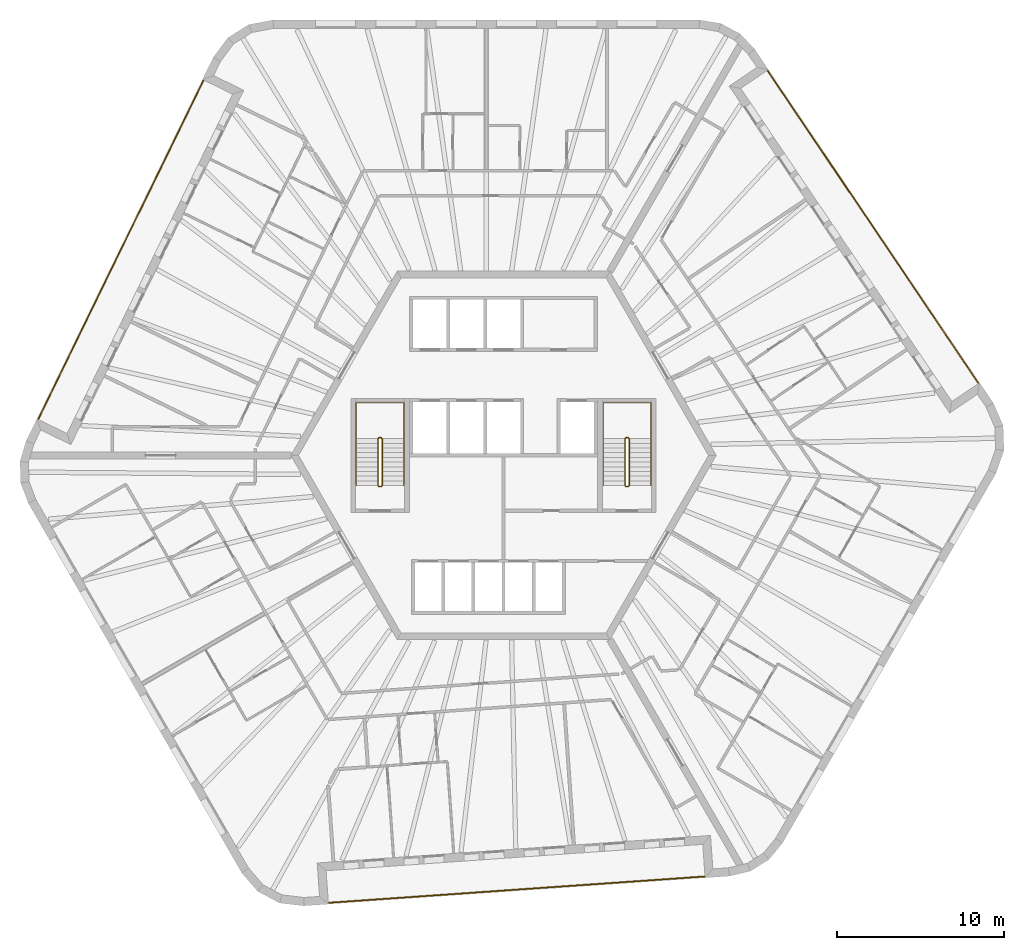
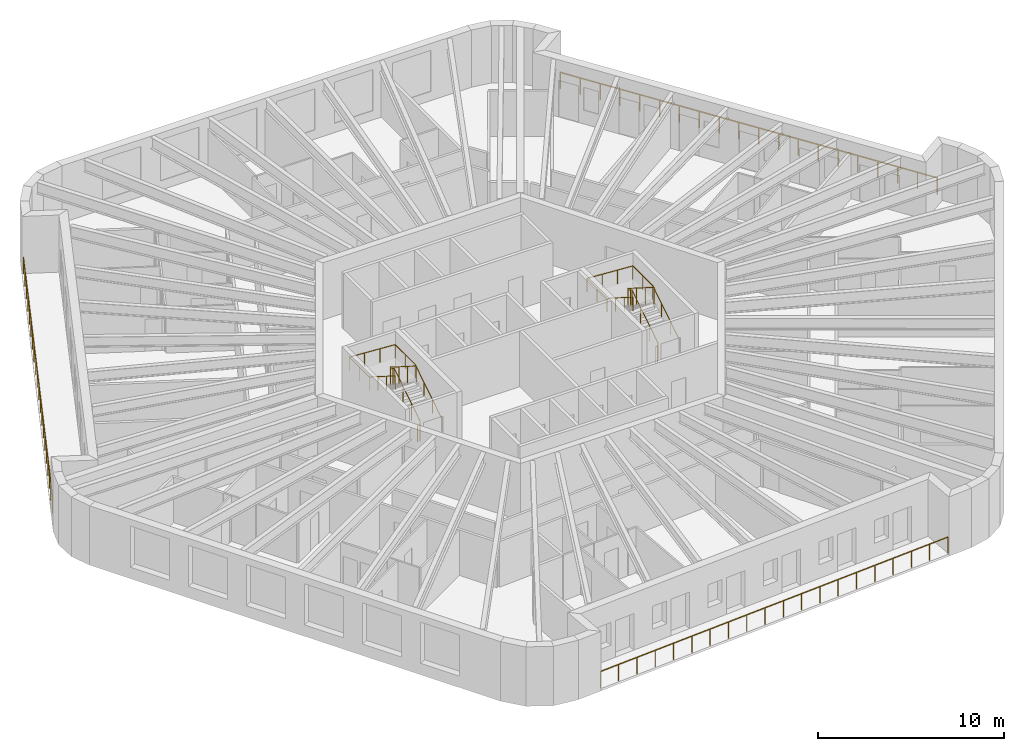
# One storey, part 12 of 12: 7 railings.
"""IFC4 building model written with IfcOpenShell, lengths in metres."""

from ifc_helpers import new_model, si_unit, direction, frame, origin, origin_2d, place, context, subcontext, project, spatial, circle, extrude, material, type_object, element, save


model = new_model("IFC4")

# Units and contexts
model_context = context("Model", 3, precision=1e-05, world=origin(), true_north=direction((0.0, 1.0)))
body_context = subcontext(model_context, "Body", "Model", "MODEL_VIEW")
ifc_project = project(units=[si_unit("LENGTHUNIT", "METRE"), si_unit("AREAUNIT", "SQUARE_METRE"), si_unit("VOLUMEUNIT", "CUBIC_METRE"), si_unit("PLANEANGLEUNIT", "RADIAN"), si_unit("MASSUNIT", "GRAM", prefix="KILO")], contexts=[model_context])

# Site, building, storey
site_placement = place(None, origin())
site = spatial("IfcSite", under=ifc_project, at=site_placement, CompositionType="ELEMENT")
building_placement = place(site_placement, origin())
building = spatial("IfcBuilding", under=site, at=building_placement, Name="Tarnside Tower", CompositionType="ELEMENT")
storey_placement = place(building_placement, frame((0.0, 0.0, 299.10009765625)))
storey = spatial("IfcBuildingStorey", under=building, at=storey_placement, Name="L72", CompositionType="ELEMENT", Elevation=299.10009765625)

# Railings
ifc_material_1 = material(Name="Toughened glass", Category="glass")
railing_type_1 = type_object("IfcRailingType", Name="Glass guard 1100", PredefinedType="GUARDRAIL", material=ifc_material_1)
railing_1_placement = place(storey_placement, frame((-17.906005859375, 22.415283203125, 0.0)))
element("IfcRailing", 1, at=railing_1_placement, inside=storey, type_object=railing_type_1, Name="Loggia guard L72 F2", PredefinedType="GUARDRAIL", context=body_context, shape_type="SweptSolid", body=[
    extrude(circle(Radius=0.030029296875, at=origin_2d()), frame((0.0, 0.0, 1.070068359375), z_axis=(-0.438372639335, -0.898793318335, 0.0), x_axis=(0.898793318335, -0.438372639335, 0.0)), (0.0, 0.0, 1.0), 22.544921875),
    extrude(circle(Radius=0.02490234375, at=origin_2d()), origin(), (0.0, 0.0, 1.0), 1.0400390625),
    extrude(circle(Radius=0.02490234375, at=origin_2d()), frame((-0.520263671875, -1.06640625, 0.0)), (0.0, 0.0, 1.0), 1.0400390625),
    extrude(circle(Radius=0.02490234375, at=origin_2d()), frame((-1.040283203125, -2.133056640625, 0.0)), (0.0, 0.0, 1.0), 1.0400390625),
    extrude(circle(Radius=0.02490234375, at=origin_2d()), frame((-1.560546875, -3.199462890625, 0.0)), (0.0, 0.0, 1.0), 1.0400390625),
    extrude(circle(Radius=0.02490234375, at=origin_2d()), frame((-2.08056640625, -4.265869140625, 0.0)), (0.0, 0.0, 1.0), 1.0400390625),
    extrude(circle(Radius=0.02490234375, at=origin_2d()), frame((-2.600830078125, -5.33251953125, 0.0)), (0.0, 0.0, 1.0), 1.0400390625),
    extrude(circle(Radius=0.02490234375, at=origin_2d()), frame((-3.120849609375, -6.39892578125, 0.0)), (0.0, 0.0, 1.0), 1.0400390625),
    extrude(circle(Radius=0.02490234375, at=origin_2d()), frame((-3.64111328125, -7.46533203125, 0.0)), (0.0, 0.0, 1.0), 1.0400390625),
    extrude(circle(Radius=0.02490234375, at=origin_2d()), frame((-4.161376953125, -8.531982421875, 0.0)), (0.0, 0.0, 1.0), 1.0400390625),
    extrude(circle(Radius=0.02490234375, at=origin_2d()), frame((-4.681396484375, -9.598388671875, 0.0)), (0.0, 0.0, 1.0), 1.0400390625),
    extrude(circle(Radius=0.02490234375, at=origin_2d()), frame((-5.20166015625, -10.664794921875, 0.0)), (0.0, 0.0, 1.0), 1.0400390625),
    extrude(circle(Radius=0.02490234375, at=origin_2d()), frame((-5.7216796875, -11.731201171875, 0.0)), (0.0, 0.0, 1.0), 1.0400390625),
    extrude(circle(Radius=0.02490234375, at=origin_2d()), frame((-6.241943359375, -12.7978515625, 0.0)), (0.0, 0.0, 1.0), 1.0400390625),
    extrude(circle(Radius=0.02490234375, at=origin_2d()), frame((-6.76220703125, -13.8642578125, 0.0)), (0.0, 0.0, 1.0), 1.0400390625),
    extrude(circle(Radius=0.02490234375, at=origin_2d()), frame((-7.2822265625, -14.9306640625, 0.0)), (0.0, 0.0, 1.0), 1.0400390625),
    extrude(circle(Radius=0.02490234375, at=origin_2d()), frame((-7.802490234375, -15.997314453125, 0.0)), (0.0, 0.0, 1.0), 1.0400390625),
    extrude(circle(Radius=0.02490234375, at=origin_2d()), frame((-8.322509765625, -17.063720703125, 0.0)), (0.0, 0.0, 1.0), 1.0400390625),
    extrude(circle(Radius=0.02490234375, at=origin_2d()), frame((-8.8427734375, -18.130126953125, 0.0)), (0.0, 0.0, 1.0), 1.0400390625),
    extrude(circle(Radius=0.02490234375, at=origin_2d()), frame((-9.36279296875, -19.19677734375, 0.0)), (0.0, 0.0, 1.0), 1.0400390625),
    extrude(circle(Radius=0.02490234375, at=origin_2d()), frame((-9.883056640625, -20.26318359375, 0.0)), (0.0, 0.0, 1.0), 1.0400390625),
])
railing_2_placement = place(storey_placement, frame((-10.458984375, -26.714599609375, 0.0)))
element("IfcRailing", 2, at=railing_2_placement, inside=storey, type_object=railing_type_1, Name="Loggia guard L72 F4", PredefinedType="GUARDRAIL", context=body_context, shape_type="SweptSolid", body=[
    extrude(circle(Radius=0.030029296875, at=origin_2d()), frame((0.0, 0.0, 1.070068359375), z_axis=(0.997564440639, 0.069750890837, 0.0), x_axis=(-0.069750890837, 0.997564440639, 0.0)), (0.0, 0.0, 1.0), 22.544677734375),
    extrude(circle(Radius=0.02490234375, at=origin_2d()), origin(), (0.0, 0.0, 1.0), 1.0400390625),
    extrude(circle(Radius=0.02490234375, at=origin_2d()), frame((1.18359375, 0.082763671875, 0.0)), (0.0, 0.0, 1.0), 1.0400390625),
    extrude(circle(Radius=0.02490234375, at=origin_2d()), frame((2.367431640625, 0.16552734375, 0.0)), (0.0, 0.0, 1.0), 1.0400390625),
    extrude(circle(Radius=0.02490234375, at=origin_2d()), frame((3.551025390625, 0.248291015625, 0.0)), (0.0, 0.0, 1.0), 1.0400390625),
    extrude(circle(Radius=0.02490234375, at=origin_2d()), frame((4.734619140625, 0.3310546875, 0.0)), (0.0, 0.0, 1.0), 1.0400390625),
    extrude(circle(Radius=0.02490234375, at=origin_2d()), frame((5.91845703125, 0.413818359375, 0.0)), (0.0, 0.0, 1.0), 1.0400390625),
    extrude(circle(Radius=0.02490234375, at=origin_2d()), frame((7.10205078125, 0.49658203125, 0.0)), (0.0, 0.0, 1.0), 1.0400390625),
    extrude(circle(Radius=0.02490234375, at=origin_2d()), frame((8.28564453125, 0.579345703125, 0.0)), (0.0, 0.0, 1.0), 1.0400390625),
    extrude(circle(Radius=0.02490234375, at=origin_2d()), frame((9.469482421875, 0.662109375, 0.0)), (0.0, 0.0, 1.0), 1.0400390625),
    extrude(circle(Radius=0.02490234375, at=origin_2d()), frame((10.653076171875, 0.744873046875, 0.0)), (0.0, 0.0, 1.0), 1.0400390625),
    extrude(circle(Radius=0.02490234375, at=origin_2d()), frame((11.836669921875, 0.82763671875, 0.0)), (0.0, 0.0, 1.0), 1.0400390625),
    extrude(circle(Radius=0.02490234375, at=origin_2d()), frame((13.020263671875, 0.910400390625, 0.0)), (0.0, 0.0, 1.0), 1.0400390625),
    extrude(circle(Radius=0.02490234375, at=origin_2d()), frame((14.2041015625, 0.9931640625, 0.0)), (0.0, 0.0, 1.0), 1.0400390625),
    extrude(circle(Radius=0.02490234375, at=origin_2d()), frame((15.3876953125, 1.075927734375, 0.0)), (0.0, 0.0, 1.0), 1.0400390625),
    extrude(circle(Radius=0.02490234375, at=origin_2d()), frame((16.5712890625, 1.15869140625, 0.0)), (0.0, 0.0, 1.0), 1.0400390625),
    extrude(circle(Radius=0.02490234375, at=origin_2d()), frame((17.755126953125, 1.241455078125, 0.0)), (0.0, 0.0, 1.0), 1.0400390625),
    extrude(circle(Radius=0.02490234375, at=origin_2d()), frame((18.938720703125, 1.32421875, 0.0)), (0.0, 0.0, 1.0), 1.0400390625),
    extrude(circle(Radius=0.02490234375, at=origin_2d()), frame((20.122314453125, 1.406982421875, 0.0)), (0.0, 0.0, 1.0), 1.0400390625),
    extrude(circle(Radius=0.02490234375, at=origin_2d()), frame((21.30615234375, 1.48974609375, 0.0)), (0.0, 0.0, 1.0), 1.0400390625),
    extrude(circle(Radius=0.02490234375, at=origin_2d()), frame((22.48974609375, 1.572509765625, 0.0)), (0.0, 0.0, 1.0), 1.0400390625),
])
railing_3_placement = place(storey_placement, frame((28.365234375, 4.299560546875, 0.0)))
element("IfcRailing", 3, at=railing_3_placement, inside=storey, type_object=railing_type_1, Name="Loggia guard L72 F6", PredefinedType="GUARDRAIL", context=body_context, shape_type="SweptSolid", body=[
    extrude(circle(Radius=0.030029296875, at=origin_2d()), frame((0.0, 0.0, 1.070068359375), z_axis=(-0.559195329741, 0.82903593601, 0.0), x_axis=(-0.82903593601, -0.559195329741, 0.0)), (0.0, 0.0, 1.0), 22.544677734375),
    extrude(circle(Radius=0.02490234375, at=origin_2d()), origin(), (0.0, 0.0, 1.0), 1.0400390625),
    extrude(circle(Radius=0.02490234375, at=origin_2d()), frame((-0.66357421875, 0.983642578125, 0.0)), (0.0, 0.0, 1.0), 1.0400390625),
    extrude(circle(Radius=0.02490234375, at=origin_2d()), frame((-1.3271484375, 1.967529296875, 0.0)), (0.0, 0.0, 1.0), 1.0400390625),
    extrude(circle(Radius=0.02490234375, at=origin_2d()), frame((-1.990478515625, 2.951171875, 0.0)), (0.0, 0.0, 1.0), 1.0400390625),
    extrude(circle(Radius=0.02490234375, at=origin_2d()), frame((-2.654052734375, 3.934814453125, 0.0)), (0.0, 0.0, 1.0), 1.0400390625),
    extrude(circle(Radius=0.02490234375, at=origin_2d()), frame((-3.317626953125, 4.91845703125, 0.0)), (0.0, 0.0, 1.0), 1.0400390625),
    extrude(circle(Radius=0.02490234375, at=origin_2d()), frame((-3.981201171875, 5.90234375, 0.0)), (0.0, 0.0, 1.0), 1.0400390625),
    extrude(circle(Radius=0.02490234375, at=origin_2d()), frame((-4.644775390625, 6.885986328125, 0.0)), (0.0, 0.0, 1.0), 1.0400390625),
    extrude(circle(Radius=0.02490234375, at=origin_2d()), frame((-5.30810546875, 7.86962890625, 0.0)), (0.0, 0.0, 1.0), 1.0400390625),
    extrude(circle(Radius=0.02490234375, at=origin_2d()), frame((-5.9716796875, 8.853271484375, 0.0)), (0.0, 0.0, 1.0), 1.0400390625),
    extrude(circle(Radius=0.02490234375, at=origin_2d()), frame((-6.63525390625, 9.837158203125, 0.0)), (0.0, 0.0, 1.0), 1.0400390625),
    extrude(circle(Radius=0.02490234375, at=origin_2d()), frame((-7.298828125, 10.82080078125, 0.0)), (0.0, 0.0, 1.0), 1.0400390625),
    extrude(circle(Radius=0.02490234375, at=origin_2d()), frame((-7.962158203125, 11.804443359375, 0.0)), (0.0, 0.0, 1.0), 1.0400390625),
    extrude(circle(Radius=0.02490234375, at=origin_2d()), frame((-8.625732421875, 12.7880859375, 0.0)), (0.0, 0.0, 1.0), 1.0400390625),
    extrude(circle(Radius=0.02490234375, at=origin_2d()), frame((-9.289306640625, 13.77197265625, 0.0)), (0.0, 0.0, 1.0), 1.0400390625),
    extrude(circle(Radius=0.02490234375, at=origin_2d()), frame((-9.952880859375, 14.755615234375, 0.0)), (0.0, 0.0, 1.0), 1.0400390625),
    extrude(circle(Radius=0.02490234375, at=origin_2d()), frame((-10.616455078125, 15.7392578125, 0.0)), (0.0, 0.0, 1.0), 1.0400390625),
    extrude(circle(Radius=0.02490234375, at=origin_2d()), frame((-11.27978515625, 16.722900390625, 0.0)), (0.0, 0.0, 1.0), 1.0400390625),
    extrude(circle(Radius=0.02490234375, at=origin_2d()), frame((-11.943359375, 17.706787109375, 0.0)), (0.0, 0.0, 1.0), 1.0400390625),
    extrude(circle(Radius=0.02490234375, at=origin_2d()), frame((-12.60693359375, 18.6904296875, 0.0)), (0.0, 0.0, 1.0), 1.0400390625),
])
ifc_material_2 = material(Name="Stainless steel", Category="steel")
railing_type_2 = type_object("IfcRailingType", Name="Stair guard 1100", PredefinedType="GUARDRAIL", material=ifc_material_2)
railing_4_placement = place(storey_placement, frame((7.300048828125, -1.85009765625, 0.0)))
element("IfcRailing", 4, at=railing_4_placement, inside=storey, type_object=railing_type_2, Name="L72 ST1 stair guard 1", PredefinedType="GUARDRAIL", context=body_context, shape_type="SweptSolid", body=[
    extrude(circle(Radius=0.02392578125, at=origin_2d()), frame((0.0, 0.0, 1.076171875), z_axis=(1.0, 0.0, 0.0), x_axis=(0.0, 1.0, 0.0)), (0.0, 0.0, 1.0), 0.14990234375),
    extrude(circle(Radius=0.02392578125, at=origin_2d()), frame((0.14990234375, 0.0, 1.076171875), z_axis=(0.262233686654, 0.262233686654, 0.928691007369), x_axis=(-0.707106781187, 0.707106781187, 0.0)), (0.0, 0.0, 1.0), 0.19091796875),
    extrude(circle(Radius=0.02392578125, at=origin_2d()), frame((0.199951171875, 0.050048828125, 1.25341796875), z_axis=(0.0, 0.844908973607, 0.534910110503), x_axis=(-1.0, 0.0, 0.0)), (0.0, 0.0, 1.0), 3.31396484375),
    extrude(circle(Radius=0.02392578125, at=origin_2d()), frame((0.199951171875, 2.85009765625, 3.02587890625), z_axis=(-0.707106781187, 0.707106781187, 0.0), x_axis=(-0.707106781187, -0.707106781187, 0.0)), (0.0, 0.0, 1.0), 0.07080078125),
    extrude(circle(Radius=0.02392578125, at=origin_2d()), frame((0.14990234375, 2.900146484375, 3.02587890625), z_axis=(-1.0, 0.0, 0.0), x_axis=(0.0, -1.0, 0.0)), (0.0, 0.0, 1.0), 0.14990234375),
    extrude(circle(Radius=0.02392578125, at=origin_2d()), frame((0.0, 2.900146484375, 3.02587890625), z_axis=(-0.262233686654, -0.262233686654, 0.928691007369), x_axis=(0.707106781187, -0.707106781187, 0.0)), (0.0, 0.0, 1.0), 0.19091796875),
    extrude(circle(Radius=0.02392578125, at=origin_2d()), frame((-0.050048828125, 2.85009765625, 3.203125), z_axis=(0.0, -0.844908973607, 0.534910110503), x_axis=(1.0, 0.0, 0.0)), (0.0, 0.0, 1.0), 3.31396484375),
    extrude(circle(Radius=0.02099609375, at=origin_2d()), origin(), (0.0, 0.0, 1.0), 1.052001953125),
    extrude(circle(Radius=0.02099609375, at=origin_2d()), frame((0.14990234375, 0.0, 0.0)), (0.0, 0.0, 1.0), 1.052001953125),
    extrude(circle(Radius=0.02099609375, at=origin_2d()), frame((0.199951171875, 0.050048828125, 0.17724609375)), (0.0, 0.0, 1.0), 1.052001953125),
    extrude(circle(Radius=0.02099609375, at=origin_2d()), frame((0.199951171875, 0.9833984375, 0.76806640625)), (0.0, 0.0, 1.0), 1.052001953125),
    extrude(circle(Radius=0.02099609375, at=origin_2d()), frame((0.199951171875, 1.916748046875, 1.359130859375)), (0.0, 0.0, 1.0), 1.052001953125),
    extrude(circle(Radius=0.02099609375, at=origin_2d()), frame((0.199951171875, 2.85009765625, 1.949951171875)), (0.0, 0.0, 1.0), 1.052001953125),
    extrude(circle(Radius=0.02099609375, at=origin_2d()), frame((0.14990234375, 2.900146484375, 1.949951171875)), (0.0, 0.0, 1.0), 1.052001953125),
    extrude(circle(Radius=0.02099609375, at=origin_2d()), frame((0.0, 2.900146484375, 1.949951171875)), (0.0, 0.0, 1.0), 1.052001953125),
    extrude(circle(Radius=0.02099609375, at=origin_2d()), frame((-0.050048828125, 2.85009765625, 2.127197265625)), (0.0, 0.0, 1.0), 1.052001953125),
    extrude(circle(Radius=0.02099609375, at=origin_2d()), frame((-0.050048828125, 1.916748046875, 2.718017578125)), (0.0, 0.0, 1.0), 1.052001953125),
    extrude(circle(Radius=0.02099609375, at=origin_2d()), frame((-0.050048828125, 0.9833984375, 3.30908203125)), (0.0, 0.0, 1.0), 1.052001953125),
    extrude(circle(Radius=0.02099609375, at=origin_2d()), frame((-0.050048828125, 0.050048828125, 3.89990234375)), (0.0, 0.0, 1.0), 1.052001953125),
])
railing_5_placement = place(storey_placement, frame((-7.449951171875, -1.85009765625, 0.0)))
element("IfcRailing", 5, at=railing_5_placement, inside=storey, type_object=railing_type_2, Name="L72 ST2 stair guard 1", PredefinedType="GUARDRAIL", context=body_context, shape_type="SweptSolid", body=[
    extrude(circle(Radius=0.02392578125, at=origin_2d()), frame((0.0, 0.0, 1.076171875), z_axis=(1.0, 0.0, 0.0), x_axis=(0.0, 1.0, 0.0)), (0.0, 0.0, 1.0), 0.14990234375),
    extrude(circle(Radius=0.02392578125, at=origin_2d()), frame((0.14990234375, 0.0, 1.076171875), z_axis=(0.262233686654, 0.262233686654, 0.928691007369), x_axis=(-0.707106781187, 0.707106781187, 0.0)), (0.0, 0.0, 1.0), 0.19091796875),
    extrude(circle(Radius=0.02392578125, at=origin_2d()), frame((0.199951171875, 0.050048828125, 1.25341796875), z_axis=(0.0, 0.844908973607, 0.534910110503), x_axis=(-1.0, 0.0, 0.0)), (0.0, 0.0, 1.0), 3.31396484375),
    extrude(circle(Radius=0.02392578125, at=origin_2d()), frame((0.199951171875, 2.85009765625, 3.02587890625), z_axis=(-0.707106781187, 0.707106781187, 0.0), x_axis=(-0.707106781187, -0.707106781187, 0.0)), (0.0, 0.0, 1.0), 0.07080078125),
    extrude(circle(Radius=0.02392578125, at=origin_2d()), frame((0.14990234375, 2.900146484375, 3.02587890625), z_axis=(-1.0, 0.0, 0.0), x_axis=(0.0, -1.0, 0.0)), (0.0, 0.0, 1.0), 0.14990234375),
    extrude(circle(Radius=0.02392578125, at=origin_2d()), frame((0.0, 2.900146484375, 3.02587890625), z_axis=(-0.262233686654, -0.262233686654, 0.928691007369), x_axis=(0.707106781187, -0.707106781187, 0.0)), (0.0, 0.0, 1.0), 0.19091796875),
    extrude(circle(Radius=0.02392578125, at=origin_2d()), frame((-0.050048828125, 2.85009765625, 3.203125), z_axis=(0.0, -0.844908973607, 0.534910110503), x_axis=(1.0, 0.0, 0.0)), (0.0, 0.0, 1.0), 3.31396484375),
    extrude(circle(Radius=0.02099609375, at=origin_2d()), origin(), (0.0, 0.0, 1.0), 1.052001953125),
    extrude(circle(Radius=0.02099609375, at=origin_2d()), frame((0.14990234375, 0.0, 0.0)), (0.0, 0.0, 1.0), 1.052001953125),
    extrude(circle(Radius=0.02099609375, at=origin_2d()), frame((0.199951171875, 0.050048828125, 0.17724609375)), (0.0, 0.0, 1.0), 1.052001953125),
    extrude(circle(Radius=0.02099609375, at=origin_2d()), frame((0.199951171875, 0.9833984375, 0.76806640625)), (0.0, 0.0, 1.0), 1.052001953125),
    extrude(circle(Radius=0.02099609375, at=origin_2d()), frame((0.199951171875, 1.916748046875, 1.359130859375)), (0.0, 0.0, 1.0), 1.052001953125),
    extrude(circle(Radius=0.02099609375, at=origin_2d()), frame((0.199951171875, 2.85009765625, 1.949951171875)), (0.0, 0.0, 1.0), 1.052001953125),
    extrude(circle(Radius=0.02099609375, at=origin_2d()), frame((0.14990234375, 2.900146484375, 1.949951171875)), (0.0, 0.0, 1.0), 1.052001953125),
    extrude(circle(Radius=0.02099609375, at=origin_2d()), frame((0.0, 2.900146484375, 1.949951171875)), (0.0, 0.0, 1.0), 1.052001953125),
    extrude(circle(Radius=0.02099609375, at=origin_2d()), frame((-0.050048828125, 2.85009765625, 2.127197265625)), (0.0, 0.0, 1.0), 1.052001953125),
    extrude(circle(Radius=0.02099609375, at=origin_2d()), frame((-0.050048828125, 1.916748046875, 2.718017578125)), (0.0, 0.0, 1.0), 1.052001953125),
    extrude(circle(Radius=0.02099609375, at=origin_2d()), frame((-0.050048828125, 0.9833984375, 3.30908203125)), (0.0, 0.0, 1.0), 1.052001953125),
    extrude(circle(Radius=0.02099609375, at=origin_2d()), frame((-0.050048828125, 0.050048828125, 3.89990234375)), (0.0, 0.0, 1.0), 1.052001953125),
])
railing_type_3 = type_object("IfcRailingType", Name="Stair handrail 900", PredefinedType="HANDRAIL", material=ifc_material_2)
railing_6_placement = place(storey_placement, frame((8.800048828125, -1.800048828125, 0.17724609375)))
element("IfcRailing", 6, at=railing_6_placement, inside=storey, type_object=railing_type_3, Name="L72 ST1 stair handrail 1", PredefinedType="HANDRAIL", context=body_context, shape_type="SweptSolid", body=[
    extrude(circle(Radius=0.02392578125, at=origin_2d()), frame((0.0, 0.0, 0.8857421875), z_axis=(0.0, 0.844908973607, 0.534910110503), x_axis=(-1.0, 0.0, 0.0)), (0.0, 0.0, 1.0), 3.31396484375),
    extrude(circle(Radius=0.02392578125, at=origin_2d()), frame((0.0, 2.800048828125, 2.65869140625), z_axis=(0.0, 1.0, 0.0), x_axis=(-1.0, 0.0, 0.0)), (0.0, 0.0, 1.0), 2.14990234375),
    extrude(circle(Radius=0.02392578125, at=origin_2d()), frame((0.0, 4.949951171875, 2.65869140625), z_axis=(-0.998071825391, 0.0, 0.06206956872), x_axis=(0.0, -1.0, 0.0)), (0.0, 0.0, 1.0), 2.855712890625),
    extrude(circle(Radius=0.02392578125, at=origin_2d()), frame((-2.85009765625, 4.949951171875, 2.8359375), z_axis=(0.0, -1.0, 0.0), x_axis=(1.0, 0.0, 0.0)), (0.0, 0.0, 1.0), 2.14990234375),
    extrude(circle(Radius=0.02392578125, at=origin_2d()), frame((-2.85009765625, 2.800048828125, 2.8359375), z_axis=(0.0, -0.844908973607, 0.534910110503), x_axis=(1.0, 0.0, 0.0)), (0.0, 0.0, 1.0), 3.31396484375),
    extrude(circle(Radius=0.02099609375, at=origin_2d()), origin(), (0.0, 0.0, 1.0), 0.86181640625),
    extrude(circle(Radius=0.02099609375, at=origin_2d()), frame((0.0, 0.933349609375, 0.5908203125)), (0.0, 0.0, 1.0), 0.86181640625),
    extrude(circle(Radius=0.02099609375, at=origin_2d()), frame((0.0, 1.86669921875, 1.181884765625)), (0.0, 0.0, 1.0), 0.86181640625),
    extrude(circle(Radius=0.02099609375, at=origin_2d()), frame((0.0, 2.800048828125, 1.772705078125)), (0.0, 0.0, 1.0), 0.86181640625),
    extrude(circle(Radius=0.02099609375, at=origin_2d()), frame((0.0, 3.875, 1.772705078125)), (0.0, 0.0, 1.0), 0.86181640625),
    extrude(circle(Radius=0.02099609375, at=origin_2d()), frame((0.0, 4.949951171875, 1.772705078125)), (0.0, 0.0, 1.0), 0.86181640625),
    extrude(circle(Radius=0.02099609375, at=origin_2d()), frame((-0.949951171875, 4.949951171875, 1.831787109375)), (0.0, 0.0, 1.0), 0.86181640625),
    extrude(circle(Radius=0.02099609375, at=origin_2d()), frame((-1.900146484375, 4.949951171875, 1.890869140625)), (0.0, 0.0, 1.0), 0.86181640625),
    extrude(circle(Radius=0.02099609375, at=origin_2d()), frame((-2.85009765625, 4.949951171875, 1.949951171875)), (0.0, 0.0, 1.0), 0.86181640625),
    extrude(circle(Radius=0.02099609375, at=origin_2d()), frame((-2.85009765625, 3.875, 1.949951171875)), (0.0, 0.0, 1.0), 0.86181640625),
    extrude(circle(Radius=0.02099609375, at=origin_2d()), frame((-2.85009765625, 2.800048828125, 1.949951171875)), (0.0, 0.0, 1.0), 0.86181640625),
    extrude(circle(Radius=0.02099609375, at=origin_2d()), frame((-2.85009765625, 1.86669921875, 2.540771484375)), (0.0, 0.0, 1.0), 0.86181640625),
    extrude(circle(Radius=0.02099609375, at=origin_2d()), frame((-2.85009765625, 0.933349609375, 3.1318359375)), (0.0, 0.0, 1.0), 0.86181640625),
    extrude(circle(Radius=0.02099609375, at=origin_2d()), frame((-2.85009765625, 0.0, 3.72265625)), (0.0, 0.0, 1.0), 0.86181640625),
])
railing_7_placement = place(storey_placement, frame((-5.949951171875, -1.800048828125, 0.17724609375)))
element("IfcRailing", 7, at=railing_7_placement, inside=storey, type_object=railing_type_3, Name="L72 ST2 stair handrail 1", PredefinedType="HANDRAIL", context=body_context, shape_type="SweptSolid", body=[
    extrude(circle(Radius=0.02392578125, at=origin_2d()), frame((0.0, 0.0, 0.8857421875), z_axis=(0.0, 0.844908973607, 0.534910110503), x_axis=(-1.0, 0.0, 0.0)), (0.0, 0.0, 1.0), 3.31396484375),
    extrude(circle(Radius=0.02392578125, at=origin_2d()), frame((0.0, 2.800048828125, 2.65869140625), z_axis=(0.0, 1.0, 0.0), x_axis=(-1.0, 0.0, 0.0)), (0.0, 0.0, 1.0), 2.14990234375),
    extrude(circle(Radius=0.02392578125, at=origin_2d()), frame((0.0, 4.949951171875, 2.65869140625), z_axis=(-0.998071825391, 0.0, 0.06206956872), x_axis=(0.0, -1.0, 0.0)), (0.0, 0.0, 1.0), 2.855712890625),
    extrude(circle(Radius=0.02392578125, at=origin_2d()), frame((-2.85009765625, 4.949951171875, 2.8359375), z_axis=(0.0, -1.0, 0.0), x_axis=(1.0, 0.0, 0.0)), (0.0, 0.0, 1.0), 2.14990234375),
    extrude(circle(Radius=0.02392578125, at=origin_2d()), frame((-2.85009765625, 2.800048828125, 2.8359375), z_axis=(0.0, -0.844908973607, 0.534910110503), x_axis=(1.0, 0.0, 0.0)), (0.0, 0.0, 1.0), 3.31396484375),
    extrude(circle(Radius=0.02099609375, at=origin_2d()), origin(), (0.0, 0.0, 1.0), 0.86181640625),
    extrude(circle(Radius=0.02099609375, at=origin_2d()), frame((0.0, 0.933349609375, 0.5908203125)), (0.0, 0.0, 1.0), 0.86181640625),
    extrude(circle(Radius=0.02099609375, at=origin_2d()), frame((0.0, 1.86669921875, 1.181884765625)), (0.0, 0.0, 1.0), 0.86181640625),
    extrude(circle(Radius=0.02099609375, at=origin_2d()), frame((0.0, 2.800048828125, 1.772705078125)), (0.0, 0.0, 1.0), 0.86181640625),
    extrude(circle(Radius=0.02099609375, at=origin_2d()), frame((0.0, 3.875, 1.772705078125)), (0.0, 0.0, 1.0), 0.86181640625),
    extrude(circle(Radius=0.02099609375, at=origin_2d()), frame((0.0, 4.949951171875, 1.772705078125)), (0.0, 0.0, 1.0), 0.86181640625),
    extrude(circle(Radius=0.02099609375, at=origin_2d()), frame((-0.949951171875, 4.949951171875, 1.831787109375)), (0.0, 0.0, 1.0), 0.86181640625),
    extrude(circle(Radius=0.02099609375, at=origin_2d()), frame((-1.900146484375, 4.949951171875, 1.890869140625)), (0.0, 0.0, 1.0), 0.86181640625),
    extrude(circle(Radius=0.02099609375, at=origin_2d()), frame((-2.85009765625, 4.949951171875, 1.949951171875)), (0.0, 0.0, 1.0), 0.86181640625),
    extrude(circle(Radius=0.02099609375, at=origin_2d()), frame((-2.85009765625, 3.875, 1.949951171875)), (0.0, 0.0, 1.0), 0.86181640625),
    extrude(circle(Radius=0.02099609375, at=origin_2d()), frame((-2.85009765625, 2.800048828125, 1.949951171875)), (0.0, 0.0, 1.0), 0.86181640625),
    extrude(circle(Radius=0.02099609375, at=origin_2d()), frame((-2.85009765625, 1.86669921875, 2.540771484375)), (0.0, 0.0, 1.0), 0.86181640625),
    extrude(circle(Radius=0.02099609375, at=origin_2d()), frame((-2.85009765625, 0.933349609375, 3.1318359375)), (0.0, 0.0, 1.0), 0.86181640625),
    extrude(circle(Radius=0.02099609375, at=origin_2d()), frame((-2.85009765625, 0.0, 3.72265625)), (0.0, 0.0, 1.0), 0.86181640625),
])

save(model, "model.ifc")
